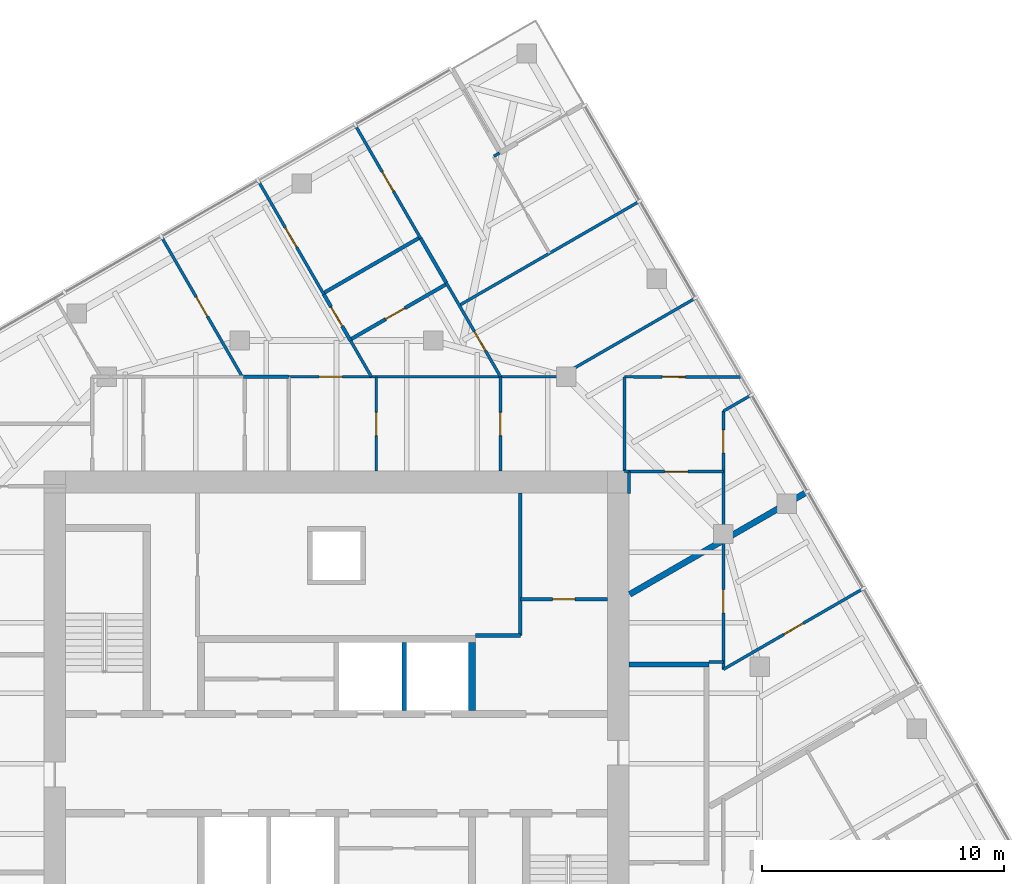
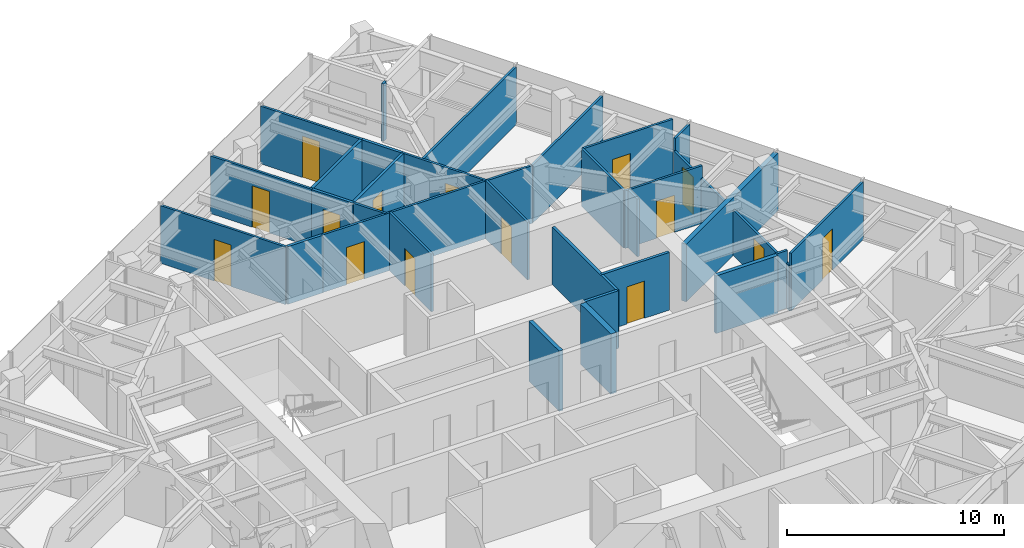
# One storey, part 11 of 13: 32 walls, 15 doors, 15 openings.
"""IFC4 building model written with IfcOpenShell, lengths in metres."""

import ifcopenshell
import ifcopenshell.guid

model = None  # the IFC model being written
_history = None  # IfcOwnerHistory: only IFC2X3 demands one
_inside = {}  # id of a spatial element -> (the spatial element, [elements in it])
_under = {}  # id of a project, library or spatial element -> (it, [spatial elements below it])
_declared = {}  # id of a project -> (the project, [libraries it declares])
_typed = {}  # id of a type object -> (the type object, [elements of that type])
_made_of = {}  # id of a material, layer set ... -> (it, [elements and type objects made of it])


def new_model(schema):
    """Start an empty IFC model of exactly this schema.

    Asked for "IFC4X3", IfcOpenShell would pick the latest addendum, in which some entities
    have other attributes; the version numbers below select the first issue.
    IFC2X3 requires an IfcOwnerHistory on every rooted entity: one is made here for all.
    """
    global model, _history
    if schema == "IFC4X3":
        model = ifcopenshell.file(schema_version=(4, 3, 0, 0))
    else:
        model = ifcopenshell.file(schema=schema)
    _inside.clear()
    _under.clear()
    _declared.clear()
    _typed.clear()
    _made_of.clear()
    _history = None
    if model.schema == "IFC2X3":
        org = make("IfcOrganization", Name="unknown")
        user = make(
            "IfcPersonAndOrganization",
            ThePerson=make("IfcPerson", FamilyName="unknown"),
            TheOrganization=org,
        )
        app = make(
            "IfcApplication",
            ApplicationDeveloper=org,
            Version="unknown",
            ApplicationFullName="unknown",
            ApplicationIdentifier="unknown",
        )
        _history = make(
            "IfcOwnerHistory",
            OwningUser=user,
            OwningApplication=app,
            ChangeAction="ADDED",
            CreationDate=0,
        )
    return model


def make(cls, **values):
    """One entity of the class cls with the attributes given. An attribute that is None is left unset."""
    return model.create_entity(
        cls, **{name: value for name, value in values.items() if value is not None}
    )


def rooted(cls, **values):
    """An entity with a GlobalId (a new one), such as an element, a storey or a relation."""
    return make(cls, GlobalId=ifcopenshell.guid.new(), OwnerHistory=_history, **values)


def si_unit(unit_type, name, prefix=None):
    """IfcSIUnit, for example si_unit("LENGTHUNIT", "METRE", prefix="MILLI")."""
    return make("IfcSIUnit", UnitType=unit_type, Prefix=prefix, Name=name)


def assignment(units):
    """IfcUnitAssignment: the units of a project."""
    return None if units is None else make("IfcUnitAssignment", Units=units)


def point(xyz):
    """IfcCartesianPoint."""
    return None if xyz is None else make("IfcCartesianPoint", Coordinates=xyz)


def direction(xyz):
    """IfcDirection."""
    return None if xyz is None else make("IfcDirection", DirectionRatios=xyz)


def frame(location, z_axis=None, x_axis=None):
    """IfcAxis2Placement3D, a coordinate frame: its origin and axes. An axis left out is left unset."""
    return make(
        "IfcAxis2Placement3D",
        Location=point(location),
        Axis=direction(z_axis),
        RefDirection=direction(x_axis),
    )


def frame_2d(location, x_axis=None):
    """IfcAxis2Placement2D, a coordinate frame in the plane: its origin and x axis."""
    return make(
        "IfcAxis2Placement2D", Location=point(location), RefDirection=direction(x_axis)
    )


def origin():
    """The frame at (0, 0, 0) with its axes left unset."""
    return frame((0.0, 0.0, 0.0))


def place(relative_to, where):
    """IfcLocalPlacement: puts the frame where relative to a parent placement (None: the world)."""
    return make(
        "IfcLocalPlacement", PlacementRelTo=relative_to, RelativePlacement=where
    )


def context(
    kind, dimensions, precision=None, world=None, true_north=None, identifier=None
):
    """IfcGeometricRepresentationContext, for example the 3D "Model" context."""
    return make(
        "IfcGeometricRepresentationContext",
        ContextIdentifier=identifier,
        ContextType=kind,
        CoordinateSpaceDimension=dimensions,
        Precision=precision,
        WorldCoordinateSystem=world,
        TrueNorth=true_north,
    )


def subcontext(parent, identifier, kind, view, scale=None):
    """IfcGeometricRepresentationSubContext, for example "Body" below "Model"."""
    return make(
        "IfcGeometricRepresentationSubContext",
        ContextIdentifier=identifier,
        ContextType=kind,
        ParentContext=parent,
        TargetScale=scale,
        TargetView=view,
    )


def project(units=None, contexts=None):
    """IfcProject with its units and contexts."""
    return rooted(
        "IfcProject",
        Name="project",
        RepresentationContexts=contexts,
        UnitsInContext=assignment(units),
    )


def spatial(cls, under=None, at=None, **own):
    """A site, building, storey or space (cls), placed at a placement, below another one or the project."""
    s = rooted(cls, ObjectPlacement=at, **own)
    if under is not None:
        _under.setdefault(under.id(), (under, []))[1].append(s)
    return s


def profile(cls, at=None, kind="AREA", **sizes):
    """A parametric profile (cls). Its sizes go by their IFC names, for example OverallWidth=200.0."""
    return make(cls, ProfileType=kind, Position=at, **sizes)


def rectangle(**sizes):
    """IfcRectangleProfileDef."""
    return profile("IfcRectangleProfileDef", **sizes)


def extrude(swept, where, along, depth):
    """IfcExtrudedAreaSolid: the profile swept, set in the frame where, extruded along a direction by depth."""
    return make(
        "IfcExtrudedAreaSolid",
        SweptArea=swept,
        Position=where,
        ExtrudedDirection=direction(along),
        Depth=depth,
    )


def shape(context_of_items, identifier, shape_type, items):
    """IfcShapeRepresentation: the items that make up one representation, for example the "Body"."""
    return make(
        "IfcShapeRepresentation",
        ContextOfItems=context_of_items,
        RepresentationIdentifier=identifier,
        RepresentationType=shape_type,
        Items=items,
    )


def material(Name=None, Category=None):
    """IfcMaterial."""
    return make("IfcMaterial", Name=Name, Category=Category)


def layer(
    of_material, thickness, ventilated=None, Name=None, Category=None, Priority=None
):
    """IfcMaterialLayer: one layer of a wall or slab, of a material (None: an air gap)."""
    return make(
        "IfcMaterialLayer",
        Material=of_material,
        LayerThickness=thickness,
        IsVentilated=ventilated,
        Name=Name,
        Category=Category,
        Priority=Priority,
    )


def layer_set(layers, Name=None):
    """IfcMaterialLayerSet."""
    return make("IfcMaterialLayerSet", MaterialLayers=layers, LayerSetName=Name)


def made_of(thing, what):
    """Note that an element or type object is made of a material, layer set ...; save() writes the relation."""
    if what is not None:
        _made_of.setdefault(what.id(), (what, []))[1].append(thing)
    return thing


def type_object(cls, material=None, **own):
    """A type object (cls), such as IfcWallType, which elements share."""
    return made_of(rooted(cls, **own), material)


def element(
    cls,
    number,
    at=None,
    inside=None,
    cuts=None,
    type_object=None,
    material=None,
    context=None,
    identifier="Body",
    shape_type=None,
    held_by="IfcProductDefinitionShape",
    body=None,
    shapes=None,
    **own,
):
    """One element of the class cls, such as IfcWall. Its Tag is "e" and its number.

    at: its placement. inside: the storey or other place that contains it. cuts: it is an
    opening in that element (IfcRelVoidsElement). A single representation is given by context,
    identifier, shape_type and body (its items); several are given by shapes. held_by: the class
    of the entity that holds the representations. save() writes the other relations.
    """
    e = rooted(cls, Tag="e%d" % number, ObjectPlacement=at, **own)
    if body is not None:
        shapes = [shape(context, identifier, shape_type, body)]
    if shapes is not None:
        e.Representation = make(held_by, Representations=shapes)
    if inside is not None:
        _inside.setdefault(inside.id(), (inside, []))[1].append(e)
    if cuts is not None:
        rooted(
            "IfcRelVoidsElement", RelatingBuildingElement=cuts, RelatedOpeningElement=e
        )
    if type_object is not None:
        _typed.setdefault(type_object.id(), (type_object, []))[1].append(e)
    return made_of(e, material)


def fill(opening, filler):
    """IfcRelFillsElement: the door or window that sits in an opening."""
    return rooted(
        "IfcRelFillsElement",
        RelatingOpeningElement=opening,
        RelatedBuildingElement=filler,
    )


def aggregate(whole, parts):
    """IfcRelAggregates: a whole, such as a stair, and the parts it consists of."""
    return rooted("IfcRelAggregates", RelatingObject=whole, RelatedObjects=parts)


def save(model, path):
    """Write the relations noted so far, then the file.

    IfcRelAggregates (storeys below a building ...), IfcRelContainedInSpatialStructure (elements
    in a storey), IfcRelDefinesByType, IfcRelAssociatesMaterial and IfcRelDeclares: one each for
    every whole, place, type object, material and project.
    """
    for whole, parts in _under.values():
        aggregate(whole, parts)
    for where, things in _inside.values():
        rooted(
            "IfcRelContainedInSpatialStructure",
            RelatedElements=things,
            RelatingStructure=where,
        )
    for kind, things in _typed.values():
        rooted("IfcRelDefinesByType", RelatedObjects=things, RelatingType=kind)
    for what, things in _made_of.values():
        rooted("IfcRelAssociatesMaterial", RelatedObjects=things, RelatingMaterial=what)
    for by, libraries in _declared.values():
        rooted("IfcRelDeclares", RelatingContext=by, RelatedDefinitions=libraries)
    model.write(path)


model = new_model("IFC4")

# Units and contexts
model_context = context("Model", 3, precision=1e-05, world=origin(), true_north=direction((0.0, 1.0)))
body_context = subcontext(model_context, "Body", "Model", "MODEL_VIEW")
ifc_project = project(units=[si_unit("LENGTHUNIT", "METRE"), si_unit("AREAUNIT", "SQUARE_METRE"), si_unit("VOLUMEUNIT", "CUBIC_METRE"), si_unit("PLANEANGLEUNIT", "RADIAN"), si_unit("MASSUNIT", "GRAM", prefix="KILO")], contexts=[model_context])

# Site, building, storey
site_placement = place(None, origin())
site = spatial("IfcSite", under=ifc_project, at=site_placement, CompositionType="ELEMENT")
building_placement = place(site_placement, origin())
building = spatial("IfcBuilding", under=site, at=building_placement, Name="Torsade Residences", CompositionType="ELEMENT")
storey_placement = place(building_placement, frame((0.0, 0.0, 225.199951171875)))
storey = spatial("IfcBuildingStorey", under=building, at=storey_placement, Name="L62", CompositionType="ELEMENT", Elevation=225.199951171875)

# Walls
ifc_material_1 = material(Name="Concrete 80 MPa", Category="concrete")
ifc_layer_1 = layer(ifc_material_1, 0.300048828125)
ifc_layer_set_1 = layer_set([ifc_layer_1], Name="Concrete 80 MPa")
wall_type_1 = type_object("IfcWallType", Name="CORE INTERNAL WALL 300", PredefinedType="SHEAR", material=ifc_layer_set_1)
wall_1_placement = place(storey_placement, frame((45.60009765625, 32.199951171875, 0.0), z_axis=(0.0, 0.0, 1.0), x_axis=(0.0, 1.0, 0.0)))
element("IfcWall", 1, at=wall_1_placement, inside=storey, type_object=wall_type_1, Name="Core wall DN4 L62", PredefinedType="SHEAR", context=body_context, shape_type="SweptSolid", body=[
    extrude(rectangle(XDim=2.800048828125, YDim=0.300048828125, at=frame_2d((1.39990234375, 0.0))), origin(), (0.0, 0.0, 1.0), 3.400146484375),
])
ifc_material_2 = material(Name="Plasterboard on steel stud", Category="steel")
ifc_layer_2 = layer(ifc_material_2, 0.199951171875)
ifc_layer_set_2 = layer_set([ifc_layer_2], Name="Plasterboard on steel stud")
wall_type_2 = type_object("IfcWallType", Name="CORRIDOR WALL 200", PredefinedType="PARTITIONING", material=ifc_layer_set_2)
wall_2_placement = place(storey_placement, frame((52.10009765625, 34.10009765625, 0.0), z_axis=(0.0, 0.0, 1.0), x_axis=(1.0, 0.0, 0.0)))
element("IfcWall", 2, at=wall_2_placement, inside=storey, type_object=wall_type_2, Name="Corridor wall L62", PredefinedType="PARTITIONING", context=body_context, shape_type="SweptSolid", body=[
    extrude(rectangle(XDim=3.2998046875, YDim=0.199951171875, at=frame_2d((1.64990234375, 0.0))), origin(), (0.0, 0.0, 1.0), 3.25),
])
ifc_material_3 = material(Name="Reinforced blockwork", Category="masonry")
ifc_layer_3 = layer(ifc_material_3, 0.199951171875)
ifc_layer_set_3 = layer_set([ifc_layer_3], Name="Reinforced blockwork")
wall_type_3 = type_object("IfcWallType", Name="LIFT SHAFT DIVIDING WALL 200", PredefinedType="SOLIDWALL", material=ifc_layer_set_3)
wall_3_placement = place(storey_placement, frame((42.800048828125, 32.199951171875, 0.0), z_axis=(0.0, 0.0, 1.0), x_axis=(0.0, 1.0, 0.0)))
element("IfcWall", 3, at=wall_3_placement, inside=storey, type_object=wall_type_3, Name="Core wall DN3 L62", PredefinedType="SOLIDWALL", context=body_context, shape_type="SweptSolid", body=[
    extrude(rectangle(XDim=2.800048828125, YDim=0.199951171875, at=frame_2d((1.39990234375, 0.0))), origin(), (0.0, 0.0, 1.0), 3.400146484375),
])
ifc_material_4 = material(Name="Plasterboard on steel stud", Category="steel")
ifc_layer_4 = layer(ifc_material_4, 0.1201171875)
ifc_layer_set_4 = layer_set([ifc_layer_4], Name="Plasterboard on steel stud")
wall_type_4 = type_object("IfcWallType", Name="PARTITION 120", PredefinedType="PARTITIONING", material=ifc_layer_set_4)
wall_4_placement = place(storey_placement, frame((56.0, 34.199951171875, 0.0), z_axis=(0.0, 0.0, 1.0), x_axis=(-1.0, 0.0, 0.0)))
element("IfcWall", 4, at=wall_4_placement, inside=storey, type_object=wall_type_4, Name="Partition L62", PredefinedType="PARTITIONING", context=body_context, shape_type="SweptSolid", body=[
    extrude(rectangle(XDim=0.60009765625, YDim=0.1201171875, at=frame_2d((0.300048828125, 0.0))), origin(), (0.0, 0.0, 1.0), 3.25),
])

# Wall, openings, doors
wall_5_placement = place(storey_placement, frame((56.0, 44.578125, 0.0), z_axis=(0.0, 0.0, 1.0), x_axis=(0.0, -1.0, 0.0)))
wall_5 = element("IfcWall", 5, at=wall_5_placement, inside=storey, type_object=wall_type_4, Name="Partition L62", PredefinedType="PARTITIONING", context=body_context, shape_type="SweptSolid", body=[
    extrude(rectangle(XDim=10.680908203125, YDim=0.1201171875, at=frame_2d((5.34033203125, 0.0))), origin(), (0.0, 0.0, 1.0), 2.550048828125),
])
opening_1_placement = place(wall_5_placement, frame((0.770263671875, 0.0, 0.0)))
opening_1 = element("IfcOpeningElement", 6, at=opening_1_placement, cuts=wall_5, Name="Opening D05", PredefinedType="OPENING", context=body_context, shape_type="SweptSolid", body=[
    extrude(rectangle(XDim=0.9599609375, YDim=2.10009765625, at=frame_2d((0.47998046875, 1.050048828125))), frame((0.0, 0.070068359375, 0.0), z_axis=(0.0, -1.0, 0.0), x_axis=(1.0, 0.0, 0.0)), (0.0, 0.0, 1.0), 0.14013671875),
])
opening_2_placement = place(wall_5_placement, frame((7.37939453125, 0.0, 0.0)))
opening_2 = element("IfcOpeningElement", 7, at=opening_2_placement, cuts=wall_5, Name="Opening D05", PredefinedType="OPENING", context=body_context, shape_type="SweptSolid", body=[
    extrude(rectangle(XDim=0.9599609375, YDim=2.10009765625, at=frame_2d((0.47998046875, 1.050048828125))), frame((0.0, 0.070068359375, 0.0), z_axis=(0.0, -1.0, 0.0), x_axis=(1.0, 0.0, 0.0)), (0.0, 0.0, 1.0), 0.14013671875),
])
ifc_material_5 = material(Name="Hollow-core timber door in a steel cavity frame", Category="steel")
door_type_1 = type_object("IfcDoorType", Name="BATHROOM CAVITY SLIDING DOOR 960", OperationType="SLIDING_TO_LEFT", PredefinedType="DOOR", material=ifc_material_5)
door_1_placement = place(opening_1_placement, origin())
door_1 = element("IfcDoor", 8, at=door_1_placement, inside=storey, type_object=door_type_1, Name="Door Bathroom to Dining room 2", OperationType="SLIDING_TO_LEFT", OverallHeight=2.10009765625, OverallWidth=0.9599609375, PredefinedType="DOOR", context=body_context, shape_type="SweptSolid", body=[
    extrude(rectangle(XDim=0.9599609375, YDim=2.10009765625, at=frame_2d((0.47998046875, 1.050048828125))), frame((0.0, 0.02490234375, 0.0), z_axis=(0.0, -1.0, 0.0), x_axis=(1.0, 0.0, 0.0)), (0.0, 0.0, 1.0), 0.050048828125),
])
fill(opening_1, door_1)
door_2_placement = place(opening_2_placement, origin())
door_2 = element("IfcDoor", 9, at=door_2_placement, inside=storey, type_object=door_type_1, Name="Door Bedroom 1 2 to Bathroom 2", OperationType="SLIDING_TO_LEFT", OverallHeight=2.10009765625, OverallWidth=0.9599609375, PredefinedType="DOOR", context=body_context, shape_type="SweptSolid", body=[
    extrude(rectangle(XDim=0.9599609375, YDim=2.10009765625, at=frame_2d((0.47998046875, 1.050048828125))), frame((0.0, 0.02490234375, 0.0), z_axis=(0.0, -1.0, 0.0), x_axis=(1.0, 0.0, 0.0)), (0.0, 0.0, 1.0), 0.050048828125),
])
fill(opening_2, door_2)

# Wall, opening, door
wall_6_placement = place(storey_placement, frame((56.0, 33.897216796875, 0.0), z_axis=(0.0, 0.0, 1.0), x_axis=(0.866033470286, 0.49998602815, 0.0)))
wall_6 = element("IfcWall", 10, at=wall_6_placement, inside=storey, type_object=wall_type_4, Name="Partition L62", PredefinedType="PARTITIONING", context=body_context, shape_type="SweptSolid", body=[
    extrude(rectangle(XDim=6.655029296875, YDim=0.1201171875, at=frame_2d((3.32763671875, 0.0))), origin(), (0.0, 0.0, 1.0), 3.25),
])
opening_3_placement = place(wall_6_placement, frame((2.887451171875, 0.0, 0.0)))
opening_3 = element("IfcOpeningElement", 11, at=opening_3_placement, cuts=wall_6, Name="Opening D02", PredefinedType="OPENING", context=body_context, shape_type="SweptSolid", body=[
    extrude(rectangle(XDim=0.919921875, YDim=2.340087890625, at=frame_2d((0.4599609375, 1.169921875))), frame((0.0, 0.070068359375, 0.0), z_axis=(0.0, -1.0, 0.0), x_axis=(1.0, 0.0, 0.0)), (0.0, 0.0, 1.0), 0.14013671875),
])
ifc_material_6 = material(Name="Hollow-core timber door", Category="wood")
door_type_2 = type_object("IfcDoorType", Name="INTERNAL DOOR 920x2340", OperationType="NOTDEFINED", PredefinedType="DOOR", material=ifc_material_6)
door_3_placement = place(opening_3_placement, origin())
door_3 = element("IfcDoor", 12, at=door_3_placement, inside=storey, type_object=door_type_2, Name="Door Living room 2 to Bedroom 1 2", OperationType="SINGLE_SWING_LEFT", OverallHeight=2.340087890625, OverallWidth=0.919921875, PredefinedType="DOOR", context=body_context, shape_type="SweptSolid", body=[
    extrude(rectangle(XDim=0.919921875, YDim=2.340087890625, at=frame_2d((0.4599609375, 1.169921875))), frame((0.0, 0.02490234375, 0.0), z_axis=(0.0, -1.0, 0.0), x_axis=(1.0, 0.0, 0.0)), (0.0, 0.0, 1.0), 0.050048828125),
])
fill(opening_3, door_3)

wall_7_placement = place(storey_placement, frame((56.0, 42.07763671875, 0.0), z_axis=(0.0, 0.0, 1.0), x_axis=(-1.0, 0.0, 0.0)))
wall_7 = element("IfcWall", 13, at=wall_7_placement, inside=storey, type_object=wall_type_4, Name="Partition L62", PredefinedType="PARTITIONING", context=body_context, shape_type="SweptSolid", body=[
    extrude(rectangle(XDim=3.89990234375, YDim=0.1201171875, at=frame_2d((1.949951171875, 0.0))), origin(), (0.0, 0.0, 1.0), 3.25),
])
opening_4_placement = place(wall_7_placement, frame((1.469970703125, 0.0, 0.0)))
opening_4 = element("IfcOpeningElement", 14, at=opening_4_placement, cuts=wall_7, Name="Opening D05", PredefinedType="OPENING", context=body_context, shape_type="SweptSolid", body=[
    extrude(rectangle(XDim=0.9599609375, YDim=2.10009765625, at=frame_2d((0.47998046875, 1.050048828125))), frame((0.0, 0.070068359375, 0.0), z_axis=(0.0, -1.0, 0.0), x_axis=(1.0, 0.0, 0.0)), (0.0, 0.0, 1.0), 0.14013671875),
])
door_4_placement = place(opening_4_placement, origin())
door_4 = element("IfcDoor", 15, at=door_4_placement, inside=storey, type_object=door_type_1, Name="Door Bathroom to Dressing room", OperationType="SLIDING_TO_LEFT", OverallHeight=2.10009765625, OverallWidth=0.9599609375, PredefinedType="DOOR", context=body_context, shape_type="SweptSolid", body=[
    extrude(rectangle(XDim=0.9599609375, YDim=2.10009765625, at=frame_2d((0.47998046875, 1.050048828125))), frame((0.0, 0.02490234375, 0.0), z_axis=(0.0, -1.0, 0.0), x_axis=(1.0, 0.0, 0.0)), (0.0, 0.0, 1.0), 0.050048828125),
])
fill(opening_4, door_4)

# Wall
wall_8_placement = place(storey_placement, frame((51.90576171875, 42.10009765625, 0.0), z_axis=(0.0, 0.0, 1.0), x_axis=(0.0, 1.0, 0.0)))
element("IfcWall", 16, at=wall_8_placement, inside=storey, type_object=wall_type_4, Name="Partition L62", PredefinedType="PARTITIONING", context=body_context, shape_type="SweptSolid", body=[
    extrude(rectangle(XDim=3.89990234375, YDim=0.1201171875, at=frame_2d((1.949951171875, 0.0))), origin(), (0.0, 0.0, 1.0), 3.25),
])

# Wall, opening, door
wall_9_placement = place(storey_placement, frame((51.90576171875, 46.0, 0.0), z_axis=(0.0, 0.0, 1.0), x_axis=(0.999997822794, -0.002086721841, 0.0)))
wall_9 = element("IfcWall", 17, at=wall_9_placement, inside=storey, type_object=wall_type_4, Name="Partition L62", PredefinedType="PARTITIONING", context=body_context, shape_type="SweptSolid", body=[
    extrude(rectangle(XDim=4.796875, YDim=0.1201171875, at=frame_2d((2.3984375, 0.0))), origin(), (0.0, 0.0, 1.0), 3.25),
])
opening_5_placement = place(wall_9_placement, frame((1.567138671875, 0.0, 0.0)))
opening_5 = element("IfcOpeningElement", 18, at=opening_5_placement, cuts=wall_9, Name="Opening D05", PredefinedType="OPENING", context=body_context, shape_type="SweptSolid", body=[
    extrude(rectangle(XDim=0.9599609375, YDim=2.10009765625, at=frame_2d((0.47998046875, 1.050048828125))), frame((0.0, 0.070068359375, 0.0), z_axis=(0.0, -1.0, 0.0), x_axis=(1.0, 0.0, 0.0)), (0.0, 0.0, 1.0), 0.14013671875),
])
door_5_placement = place(opening_5_placement, origin())
door_5 = element("IfcDoor", 19, at=door_5_placement, inside=storey, type_object=door_type_1, Name="Door Media room 2 to Bathroom", OperationType="SLIDING_TO_LEFT", OverallHeight=2.10009765625, OverallWidth=0.9599609375, PredefinedType="DOOR", context=body_context, shape_type="SweptSolid", body=[
    extrude(rectangle(XDim=0.9599609375, YDim=2.10009765625, at=frame_2d((0.47998046875, 1.050048828125))), frame((0.0, 0.02490234375, 0.0), z_axis=(0.0, -1.0, 0.0), x_axis=(1.0, 0.0, 0.0)), (0.0, 0.0, 1.0), 0.050048828125),
])
fill(opening_5, door_5)

# Walls
wall_10_placement = place(storey_placement, frame((57.138427734375, 45.2353515625, 0.0), z_axis=(0.0, 0.0, 1.0), x_axis=(-0.866040225545, -0.499974327079, 0.0)))
element("IfcWall", 20, at=wall_10_placement, inside=storey, type_object=wall_type_4, Name="Partition L62", PredefinedType="PARTITIONING", context=body_context, shape_type="SweptSolid", body=[
    extrude(rectangle(XDim=1.314453125, YDim=0.1201171875, at=frame_2d((0.6572265625, 0.0))), origin(), (0.0, 0.0, 1.0), 3.25),
])
wall_11_placement = place(storey_placement, frame((52.10009765625, 41.179931640625, 0.0), z_axis=(0.0, 0.0, 1.0), x_axis=(0.0, 1.0, 0.0)))
element("IfcWall", 21, at=wall_11_placement, inside=storey, type_object=wall_type_4, Name="Partition L62", PredefinedType="PARTITIONING", context=body_context, shape_type="SweptSolid", body=[
    extrude(rectangle(XDim=0.897705078125, YDim=0.1201171875, at=frame_2d((0.44873046875, 0.0))), origin(), (0.0, 0.0, 1.0), 3.25),
])

# Wall, opening, door
wall_12_placement = place(storey_placement, frame((41.6435546875, 42.10009765625, 0.0), z_axis=(0.0, 0.0, 1.0), x_axis=(0.0, 1.0, 0.0)))
wall_12 = element("IfcWall", 22, at=wall_12_placement, inside=storey, type_object=wall_type_4, Name="Partition L62", PredefinedType="PARTITIONING", context=body_context, shape_type="SweptSolid", body=[
    extrude(rectangle(XDim=3.89990234375, YDim=0.1201171875, at=frame_2d((1.949951171875, 0.0))), origin(), (0.0, 0.0, 1.0), 3.25),
])
opening_6_placement = place(wall_12_placement, frame((1.469970703125, 0.0, 0.0)))
opening_6 = element("IfcOpeningElement", 23, at=opening_6_placement, cuts=wall_12, Name="Opening D05", PredefinedType="OPENING", context=body_context, shape_type="SweptSolid", body=[
    extrude(rectangle(XDim=0.9599609375, YDim=2.10009765625, at=frame_2d((0.47998046875, 1.050048828125))), frame((0.0, 0.070068359375, 0.0), z_axis=(0.0, -1.0, 0.0), x_axis=(1.0, 0.0, 0.0)), (0.0, 0.0, 1.0), 0.14013671875),
])
door_6_placement = place(opening_6_placement, origin())
door_6 = element("IfcDoor", 24, at=door_6_placement, inside=storey, type_object=door_type_1, Name="Door Laundry to Ensuite", OperationType="SLIDING_TO_LEFT", OverallHeight=2.10009765625, OverallWidth=0.9599609375, PredefinedType="DOOR", context=body_context, shape_type="SweptSolid", body=[
    extrude(rectangle(XDim=0.9599609375, YDim=2.10009765625, at=frame_2d((0.47998046875, 1.050048828125))), frame((0.0, 0.02490234375, 0.0), z_axis=(0.0, -1.0, 0.0), x_axis=(1.0, 0.0, 0.0)), (0.0, 0.0, 1.0), 0.050048828125),
])
fill(opening_6, door_6)

wall_13_placement = place(storey_placement, frame((38.017333984375, 46.0, 0.0), z_axis=(0.0, 0.0, 1.0), x_axis=(1.0, 0.0, 0.0)))
wall_13 = element("IfcWall", 25, at=wall_13_placement, inside=storey, type_object=wall_type_4, Name="Partition L62", PredefinedType="PARTITIONING", context=body_context, shape_type="SweptSolid", body=[
    extrude(rectangle(XDim=11.195556640625, YDim=0.1201171875, at=frame_2d((5.59765625, 0.0))), origin(), (0.0, 0.0, 1.0), 3.25),
])
opening_7_placement = place(wall_13_placement, frame((1.261962890625, 0.0, 0.0)))
opening_7 = element("IfcOpeningElement", 26, at=opening_7_placement, cuts=wall_13, Name="Opening D05", PredefinedType="OPENING", context=body_context, shape_type="SweptSolid", body=[
    extrude(rectangle(XDim=0.9599609375, YDim=2.10009765625, at=frame_2d((0.47998046875, 1.050048828125))), frame((0.0, 0.070068359375, 0.0), z_axis=(0.0, -1.0, 0.0), x_axis=(1.0, 0.0, 0.0)), (0.0, 0.0, 1.0), 0.14013671875),
])
door_7_placement = place(opening_7_placement, origin())
door_7 = element("IfcDoor", 27, at=door_7_placement, inside=storey, type_object=door_type_1, Name="Door Study to Laundry", OperationType="SLIDING_TO_LEFT", OverallHeight=2.10009765625, OverallWidth=0.9599609375, PredefinedType="DOOR", context=body_context, shape_type="SweptSolid", body=[
    extrude(rectangle(XDim=0.9599609375, YDim=2.10009765625, at=frame_2d((0.47998046875, 1.050048828125))), frame((0.0, 0.02490234375, 0.0), z_axis=(0.0, -1.0, 0.0), x_axis=(1.0, 0.0, 0.0)), (0.0, 0.0, 1.0), 0.050048828125),
])
fill(opening_7, door_7)

wall_14_placement = place(storey_placement, frame((46.774658203125, 46.0, 0.0), z_axis=(0.0, 0.0, 1.0), x_axis=(0.0, -1.0, 0.0)))
wall_14 = element("IfcWall", 28, at=wall_14_placement, inside=storey, type_object=wall_type_4, Name="Partition L62", PredefinedType="PARTITIONING", context=body_context, shape_type="SweptSolid", body=[
    extrude(rectangle(XDim=3.89990234375, YDim=0.1201171875, at=frame_2d((1.949951171875, 0.0))), origin(), (0.0, 0.0, 1.0), 3.25),
])
opening_8_placement = place(wall_14_placement, frame((1.469970703125, 0.0, 0.0)))
opening_8 = element("IfcOpeningElement", 29, at=opening_8_placement, cuts=wall_14, Name="Opening D05", PredefinedType="OPENING", context=body_context, shape_type="SweptSolid", body=[
    extrude(rectangle(XDim=0.9599609375, YDim=2.10009765625, at=frame_2d((0.47998046875, 1.050048828125))), frame((0.0, 0.070068359375, 0.0), z_axis=(0.0, -1.0, 0.0), x_axis=(1.0, 0.0, 0.0)), (0.0, 0.0, 1.0), 0.14013671875),
])
door_8_placement = place(opening_8_placement, origin())
door_8 = element("IfcDoor", 30, at=door_8_placement, inside=storey, type_object=door_type_1, Name="Door Ensuite to Media room 2", OperationType="SLIDING_TO_LEFT", OverallHeight=2.10009765625, OverallWidth=0.9599609375, PredefinedType="DOOR", context=body_context, shape_type="SweptSolid", body=[
    extrude(rectangle(XDim=0.9599609375, YDim=2.10009765625, at=frame_2d((0.47998046875, 1.050048828125))), frame((0.0, 0.02490234375, 0.0), z_axis=(0.0, -1.0, 0.0), x_axis=(1.0, 0.0, 0.0)), (0.0, 0.0, 1.0), 0.050048828125),
])
fill(opening_8, door_8)

# Wall
wall_15_placement = place(storey_placement, frame((45.07861328125, 48.95361328125, 0.0), z_axis=(0.0, 0.0, 1.0), x_axis=(0.866025991751, 0.49999898161, 0.0)))
element("IfcWall", 31, at=wall_15_placement, inside=storey, type_object=wall_type_4, Name="Partition L62", PredefinedType="PARTITIONING", context=body_context, shape_type="SweptSolid", body=[
    extrude(rectangle(XDim=8.5849609375, YDim=0.1201171875, at=frame_2d((4.29248046875, 0.0))), origin(), (0.0, 0.0, 1.0), 3.25),
])

# Wall, opening, door
wall_16_placement = place(storey_placement, frame((46.783935546875, 46.0, 0.0), z_axis=(0.0, 0.0, 1.0), x_axis=(-0.500017500808, 0.866015299452, 0.0)))
wall_16 = element("IfcWall", 32, at=wall_16_placement, inside=storey, type_object=wall_type_4, Name="Partition L62", PredefinedType="PARTITIONING", context=body_context, shape_type="SweptSolid", body=[
    extrude(rectangle(XDim=4.488525390625, YDim=0.1201171875, at=frame_2d((2.244140625, 0.0))), origin(), (0.0, 0.0, 1.0), 3.25),
])
opening_9_placement = place(wall_16_placement, frame((1.245361328125, 0.0, 0.0)))
opening_9 = element("IfcOpeningElement", 33, at=opening_9_placement, cuts=wall_16, Name="Opening D02", PredefinedType="OPENING", context=body_context, shape_type="SweptSolid", body=[
    extrude(rectangle(XDim=0.919921875, YDim=2.340087890625, at=frame_2d((0.4599609375, 1.169921875))), frame((0.0, 0.070068359375, 0.0), z_axis=(0.0, -1.0, 0.0), x_axis=(1.0, 0.0, 0.0)), (0.0, 0.0, 1.0), 0.14013671875),
])
door_9_placement = place(opening_9_placement, origin())
door_9 = element("IfcDoor", 34, at=door_9_placement, inside=storey, type_object=door_type_2, Name="Door Walk-in robe to Bedroom 1", OperationType="SINGLE_SWING_LEFT", OverallHeight=2.340087890625, OverallWidth=0.919921875, PredefinedType="DOOR", context=body_context, shape_type="SweptSolid", body=[
    extrude(rectangle(XDim=0.919921875, YDim=2.340087890625, at=frame_2d((0.4599609375, 1.169921875))), frame((0.0, 0.02490234375, 0.0), z_axis=(0.0, -1.0, 0.0), x_axis=(1.0, 0.0, 0.0)), (0.0, 0.0, 1.0), 0.050048828125),
])
fill(opening_9, door_9)

# Wall
wall_17_placement = place(storey_placement, frame((54.825927734375, 49.24072265625, 0.0), z_axis=(0.0, 0.0, 1.0), x_axis=(-0.866023120914, -0.500003954026, 0.0)))
element("IfcWall", 35, at=wall_17_placement, inside=storey, type_object=wall_type_4, Name="Partition L62", PredefinedType="PARTITIONING", context=body_context, shape_type="SweptSolid", body=[
    extrude(rectangle(XDim=6.4814453125, YDim=0.1201171875, at=frame_2d((3.24072265625, 0.0))), origin(), (0.0, 0.0, 1.0), 3.25),
])

# Wall, opening, door
wall_18_placement = place(storey_placement, frame((43.47998046875, 51.722412109375, 0.0), z_axis=(0.0, 0.0, 1.0), x_axis=(-0.499989180974, 0.866031650062, 0.0)))
wall_18 = element("IfcWall", 36, at=wall_18_placement, inside=storey, type_object=wall_type_4, Name="Partition L62", PredefinedType="PARTITIONING", context=body_context, shape_type="SweptSolid", body=[
    extrude(rectangle(XDim=5.3876953125, YDim=0.1201171875, at=frame_2d((2.69384765625, 0.0))), origin(), (0.0, 0.0, 1.0), 3.25),
])
opening_10_placement = place(wall_18_placement, frame((2.25390625, 0.0, 0.0)))
opening_10 = element("IfcOpeningElement", 37, at=opening_10_placement, cuts=wall_18, Name="Opening D02", PredefinedType="OPENING", context=body_context, shape_type="SweptSolid", body=[
    extrude(rectangle(XDim=0.919921875, YDim=2.340087890625, at=frame_2d((0.4599609375, 1.169921875))), frame((0.0, 0.070068359375, 0.0), z_axis=(0.0, -1.0, 0.0), x_axis=(1.0, 0.0, 0.0)), (0.0, 0.0, 1.0), 0.14013671875),
])
door_10_placement = place(opening_10_placement, origin())
door_10 = element("IfcDoor", 38, at=door_10_placement, inside=storey, type_object=door_type_2, Name="Door Family room to Bedroom 2", OperationType="SINGLE_SWING_LEFT", OverallHeight=2.340087890625, OverallWidth=0.919921875, PredefinedType="DOOR", context=body_context, shape_type="SweptSolid", body=[
    extrude(rectangle(XDim=0.919921875, YDim=2.340087890625, at=frame_2d((0.4599609375, 1.169921875))), frame((0.0, 0.02490234375, 0.0), z_axis=(0.0, -1.0, 0.0), x_axis=(1.0, 0.0, 0.0)), (0.0, 0.0, 1.0), 0.050048828125),
])
fill(opening_10, door_10)

# Wall
wall_19_placement = place(storey_placement, frame((46.73681640625, 55.25146484375, 0.0), z_axis=(0.0, 0.0, 1.0), x_axis=(-0.865829262097, -0.500339573586, 0.0)))
element("IfcWall", 39, at=wall_19_placement, inside=storey, type_object=wall_type_4, Name="Partition L62", PredefinedType="PARTITIONING", context=body_context, shape_type="SweptSolid", body=[
    extrude(rectangle(XDim=0.262451171875, YDim=0.1201171875, at=frame_2d((0.13134765625, 0.0))), origin(), (0.0, 0.0, 1.0), 3.25),
])

# Wall, opening, door
wall_20_placement = place(storey_placement, frame((36.78076171875, 54.075927734375, 0.0), z_axis=(0.0, 0.0, 1.0), x_axis=(0.499989180974, -0.866031650062, 0.0)))
wall_20 = element("IfcWall", 40, at=wall_20_placement, inside=storey, type_object=wall_type_4, Name="Partition L62", PredefinedType="PARTITIONING", context=body_context, shape_type="SweptSolid", body=[
    extrude(rectangle(XDim=5.3876953125, YDim=0.1201171875, at=frame_2d((2.69384765625, 0.0))), origin(), (0.0, 0.0, 1.0), 3.25),
])
opening_11_placement = place(wall_20_placement, frame((2.214111328125, 0.0, 0.0)))
opening_11 = element("IfcOpeningElement", 41, at=opening_11_placement, cuts=wall_20, Name="Opening D02", PredefinedType="OPENING", context=body_context, shape_type="SweptSolid", body=[
    extrude(rectangle(XDim=0.919921875, YDim=2.340087890625, at=frame_2d((0.4599609375, 1.169921875))), frame((0.0, 0.070068359375, 0.0), z_axis=(0.0, -1.0, 0.0), x_axis=(1.0, 0.0, 0.0)), (0.0, 0.0, 1.0), 0.14013671875),
])
door_11_placement = place(opening_11_placement, origin())
door_11 = element("IfcDoor", 42, at=door_11_placement, inside=storey, type_object=door_type_2, Name="Door Study to Family room", OperationType="SINGLE_SWING_RIGHT", OverallHeight=2.340087890625, OverallWidth=0.919921875, PredefinedType="DOOR", context=body_context, shape_type="SweptSolid", body=[
    extrude(rectangle(XDim=0.919921875, YDim=2.340087890625, at=frame_2d((0.4599609375, 1.169921875))), frame((0.0, 0.02490234375, 0.0), z_axis=(0.0, -1.0, 0.0), x_axis=(1.0, 0.0, 0.0)), (0.0, 0.0, 1.0), 0.050048828125),
])
fill(opening_11, door_11)

wall_21_placement = place(storey_placement, frame((36.10302734375, 46.0, 0.0), z_axis=(0.0, 0.0, 1.0), x_axis=(-0.500013541994, 0.866017585169, 0.0)))
wall_21 = element("IfcWall", 43, at=wall_21_placement, inside=storey, type_object=wall_type_4, Name="Partition L62", PredefinedType="PARTITIONING", context=body_context, shape_type="SweptSolid", body=[
    extrude(rectangle(XDim=6.655029296875, YDim=0.1201171875, at=frame_2d((3.32763671875, 0.0))), origin(), (0.0, 0.0, 1.0), 3.25),
])
opening_12_placement = place(wall_21_placement, frame((2.887451171875, 0.0, 0.0)))
opening_12 = element("IfcOpeningElement", 44, at=opening_12_placement, cuts=wall_21, Name="Opening D02", PredefinedType="OPENING", context=body_context, shape_type="SweptSolid", body=[
    extrude(rectangle(XDim=0.919921875, YDim=2.340087890625, at=frame_2d((0.4599609375, 1.169921875))), frame((0.0, 0.070068359375, 0.0), z_axis=(0.0, -1.0, 0.0), x_axis=(1.0, 0.0, 0.0)), (0.0, 0.0, 1.0), 0.14013671875),
])
door_12_placement = place(opening_12_placement, origin())
door_12 = element("IfcDoor", 45, at=door_12_placement, inside=storey, type_object=door_type_2, Name="Door Media room to Study", OperationType="SINGLE_SWING_LEFT", OverallHeight=2.340087890625, OverallWidth=0.919921875, PredefinedType="DOOR", context=body_context, shape_type="SweptSolid", body=[
    extrude(rectangle(XDim=0.919921875, YDim=2.340087890625, at=frame_2d((0.4599609375, 1.169921875))), frame((0.0, 0.02490234375, 0.0), z_axis=(0.0, -1.0, 0.0), x_axis=(1.0, 0.0, 0.0)), (0.0, 0.0, 1.0), 0.050048828125),
])
fill(opening_12, door_12)

# Walls
wall_22_placement = place(storey_placement, frame((40.584228515625, 47.488037109375, 0.0), z_axis=(0.0, 0.0, 1.0), x_axis=(0.500005339912, -0.866022320763, 0.0)))
element("IfcWall", 46, at=wall_22_placement, inside=storey, type_object=wall_type_4, Name="Partition L62", PredefinedType="PARTITIONING", context=body_context, shape_type="SweptSolid", body=[
    extrude(rectangle(XDim=1.71826171875, YDim=0.1201171875, at=frame_2d((0.859130859375, 0.0))), origin(), (0.0, 0.0, 1.0), 3.25),
])
wall_23_placement = place(storey_placement, frame((51.90576171875, 42.10009765625, 0.0), z_axis=(0.0, 0.0, 1.0), x_axis=(0.993387055489, -0.114813579278, 0.0)))
element("IfcWall", 47, at=wall_23_placement, inside=storey, type_object=wall_type_4, Name="Partition L62", PredefinedType="PARTITIONING", context=body_context, shape_type="SweptSolid", body=[
    extrude(rectangle(XDim=0.195556640625, YDim=0.1201171875, at=frame_2d((0.09765625, 0.0))), origin(), (0.0, 0.0, 1.0), 3.25),
])
ifc_material_7 = material(Name="Masonry-lined stud party wall", Category="masonry")
ifc_layer_5 = layer(ifc_material_7, 0.25)
ifc_layer_set_5 = layer_set([ifc_layer_5], Name="Masonry-lined stud party wall")
wall_type_5 = type_object("IfcWallType", Name="PARTY WALL 250", PredefinedType="PARTITIONING", material=ifc_layer_set_5)
wall_24_placement = place(storey_placement, frame((59.485595703125, 41.25, 0.0), z_axis=(0.0, 0.0, 1.0), x_axis=(-0.866020489494, -0.500008511703, 0.0)))
element("IfcWall", 48, at=wall_24_placement, inside=storey, type_object=wall_type_5, Name="Party wall L62", PredefinedType="PARTITIONING", context=body_context, shape_type="SweptSolid", body=[
    extrude(rectangle(XDim=8.495849609375, YDim=0.25, at=frame_2d((4.248046875, 0.0))), origin(), (0.0, 0.0, 1.0), 3.25),
])
ifc_material_8 = material(Name="Reinforced blockwork", Category="masonry")
ifc_layer_6 = layer(ifc_material_8, 0.14990234375)
ifc_layer_set_6 = layer_set([ifc_layer_6], Name="Reinforced blockwork")
wall_type_6 = type_object("IfcWallType", Name="SERVICE ROOM WALL 150", PredefinedType="SOLIDWALL", material=ifc_layer_set_6)
wall_25_placement = place(storey_placement, frame((47.60009765625, 41.199951171875, 0.0), z_axis=(0.0, 0.0, 1.0), x_axis=(0.0, -1.0, 0.0)))
element("IfcWall", 49, at=wall_25_placement, inside=storey, type_object=wall_type_6, Name="Service room wall L62", PredefinedType="SOLIDWALL", context=body_context, shape_type="SweptSolid", body=[
    extrude(rectangle(XDim=5.89990234375, YDim=0.14990234375, at=frame_2d((2.949951171875, 0.0))), origin(), (0.0, 0.0, 1.0), 3.25),
])
wall_26_placement = place(storey_placement, frame((47.60009765625, 35.300048828125, 0.0), z_axis=(0.0, 0.0, 1.0), x_axis=(-1.0, 0.0, 0.0)))
element("IfcWall", 50, at=wall_26_placement, inside=storey, type_object=wall_type_6, Name="Service room wall L62", PredefinedType="SOLIDWALL", context=body_context, shape_type="SweptSolid", body=[
    extrude(rectangle(XDim=1.85009765625, YDim=0.14990234375, at=frame_2d((0.925048828125, 0.0))), origin(), (0.0, 0.0, 1.0), 3.25),
])

# Wall, opening, door
wall_27_placement = place(storey_placement, frame((47.60009765625, 36.800048828125, 0.0), z_axis=(0.0, 0.0, 1.0), x_axis=(1.0, 0.0, 0.0)))
wall_27 = element("IfcWall", 51, at=wall_27_placement, inside=storey, type_object=wall_type_6, Name="Service room wall L62", PredefinedType="SOLIDWALL", context=body_context, shape_type="SweptSolid", body=[
    extrude(rectangle(XDim=3.599853515625, YDim=0.14990234375, at=frame_2d((1.7998046875, 0.0))), origin(), (0.0, 0.0, 1.0), 3.25),
])
opening_13_placement = place(wall_27_placement, frame((1.340087890625, 0.0, 0.0)))
opening_13 = element("IfcOpeningElement", 52, at=opening_13_placement, cuts=wall_27, Name="Opening D06", PredefinedType="OPENING", context=body_context, shape_type="SweptSolid", body=[
    extrude(rectangle(XDim=0.919921875, YDim=2.10009765625, at=frame_2d((0.4599609375, 1.050048828125))), frame((0.0, 0.0849609375, 0.0), z_axis=(0.0, -1.0, 0.0), x_axis=(1.0, 0.0, 0.0)), (0.0, 0.0, 1.0), 0.169921875),
])
ifc_material_9 = material(Name="Steel-framed fire door", Category="steel")
door_type_3 = type_object("IfcDoorType", Name="FIRE DOOR 920", OperationType="NOTDEFINED", PredefinedType="DOOR", material=ifc_material_9)
door_13_placement = place(opening_13_placement, origin())
door_13 = element("IfcDoor", 53, at=door_13_placement, inside=storey, type_object=door_type_3, Name="Door Refuse room to Linen store", OperationType="SINGLE_SWING_LEFT", OverallHeight=2.10009765625, OverallWidth=0.919921875, PredefinedType="DOOR", context=body_context, shape_type="SweptSolid", body=[
    extrude(rectangle(XDim=0.919921875, YDim=2.10009765625, at=frame_2d((0.4599609375, 1.050048828125))), frame((0.0, 0.02490234375, 0.0), z_axis=(0.0, -1.0, 0.0), x_axis=(1.0, 0.0, 0.0)), (0.0, 0.0, 1.0), 0.050048828125),
])
fill(opening_13, door_13)

# Walls
wall_28_placement = place(storey_placement, frame((44.53955078125, 49.88720703125, 0.0), z_axis=(0.0, 0.0, 1.0), x_axis=(-0.500005013853, 0.866022509016, 0.0)))
element("IfcWall", 54, at=wall_28_placement, inside=storey, type_object=wall_type_6, Name="Service room wall L62", PredefinedType="SOLIDWALL", context=body_context, shape_type="SweptSolid", body=[
    extrude(rectangle(XDim=2.119140625, YDim=0.14990234375, at=frame_2d((1.0595703125, 0.0))), origin(), (0.0, 0.0, 1.0), 3.25),
])
wall_29_placement = place(storey_placement, frame((38.017333984375, 46.0, 0.0), z_axis=(0.0, 0.0, 1.0), x_axis=(-1.0, 0.0, 0.0)))
element("IfcWall", 55, at=wall_29_placement, inside=storey, type_object=wall_type_6, Name="Service room wall L62", PredefinedType="SOLIDWALL", context=body_context, shape_type="SweptSolid", body=[
    extrude(rectangle(XDim=1.856689453125, YDim=0.14990234375, at=frame_2d((0.92822265625, 0.0))), origin(), (0.0, 0.0, 1.0), 3.25),
])

# Wall, opening, door
wall_30_placement = place(storey_placement, frame((39.474609375, 49.409912109375, 0.0), z_axis=(0.0, 0.0, 1.0), x_axis=(0.500008142102, -0.866020702889, 0.0)))
wall_30 = element("IfcWall", 56, at=wall_30_placement, inside=storey, type_object=wall_type_6, Name="Service room wall L62", PredefinedType="SOLIDWALL", context=body_context, shape_type="SweptSolid", body=[
    extrude(rectangle(XDim=2.21923828125, YDim=0.14990234375, at=frame_2d((1.109619140625, 0.0))), origin(), (0.0, 0.0, 1.0), 3.25),
])
opening_14_placement = place(wall_30_placement, frame((0.599609375, 0.0, 0.0)))
opening_14 = element("IfcOpeningElement", 57, at=opening_14_placement, cuts=wall_30, Name="Opening D02", PredefinedType="OPENING", context=body_context, shape_type="SweptSolid", body=[
    extrude(rectangle(XDim=0.919921875, YDim=2.340087890625, at=frame_2d((0.4599609375, 1.169921875))), frame((0.0, 0.0849609375, 0.0), z_axis=(0.0, -1.0, 0.0), x_axis=(1.0, 0.0, 0.0)), (0.0, 0.0, 1.0), 0.169921875),
])
door_14_placement = place(opening_14_placement, origin())
door_14 = element("IfcDoor", 58, at=door_14_placement, inside=storey, type_object=door_type_2, Name="Door Study to Linen store 2", OperationType="SINGLE_SWING_LEFT", OverallHeight=2.340087890625, OverallWidth=0.919921875, PredefinedType="DOOR", context=body_context, shape_type="SweptSolid", body=[
    extrude(rectangle(XDim=0.919921875, YDim=2.340087890625, at=frame_2d((0.4599609375, 1.169921875))), frame((0.0, 0.02490234375, 0.0), z_axis=(0.0, -1.0, 0.0), x_axis=(1.0, 0.0, 0.0)), (0.0, 0.0, 1.0), 0.050048828125),
])
fill(opening_14, door_14)

# Wall
wall_31_placement = place(storey_placement, frame((43.455078125, 51.765625, 0.0), z_axis=(0.0, 0.0, 1.0), x_axis=(-0.866025598446, -0.499999662836, 0.0)))
element("IfcWall", 59, at=wall_31_placement, inside=storey, type_object=wall_type_6, Name="Service room wall L62", PredefinedType="SOLIDWALL", context=body_context, shape_type="SweptSolid", body=[
    extrude(rectangle(XDim=4.625, YDim=0.14990234375, at=frame_2d((2.3125, 0.0))), origin(), (0.0, 0.0, 1.0), 3.25),
])

# Wall, opening, door
wall_32_placement = place(storey_placement, frame((40.559326171875, 47.53125, 0.0), z_axis=(0.0, 0.0, 1.0), x_axis=(0.866025598446, 0.499999662836, 0.0)))
wall_32 = element("IfcWall", 60, at=wall_32_placement, inside=storey, type_object=wall_type_6, Name="Service room wall L62", PredefinedType="SOLIDWALL", context=body_context, shape_type="SweptSolid", body=[
    extrude(rectangle(XDim=4.625, YDim=0.14990234375, at=frame_2d((2.3125, 0.0))), origin(), (0.0, 0.0, 1.0), 3.25),
])
opening_15_placement = place(wall_32_placement, frame((1.702392578125, 0.0, 0.0)))
opening_15 = element("IfcOpeningElement", 61, at=opening_15_placement, cuts=wall_32, Name="Opening D02", PredefinedType="OPENING", context=body_context, shape_type="SweptSolid", body=[
    extrude(rectangle(XDim=0.919921875, YDim=2.340087890625, at=frame_2d((0.4599609375, 1.169921875))), frame((0.0, 0.0849609375, 0.0), z_axis=(0.0, -1.0, 0.0), x_axis=(1.0, 0.0, 0.0)), (0.0, 0.0, 1.0), 0.169921875),
])
door_15_placement = place(opening_15_placement, origin())
door_15 = element("IfcDoor", 62, at=door_15_placement, inside=storey, type_object=door_type_2, Name="Door Linen store 2 to Walk-in robe", OperationType="SINGLE_SWING_LEFT", OverallHeight=2.340087890625, OverallWidth=0.919921875, PredefinedType="DOOR", context=body_context, shape_type="SweptSolid", body=[
    extrude(rectangle(XDim=0.919921875, YDim=2.340087890625, at=frame_2d((0.4599609375, 1.169921875))), frame((0.0, 0.02490234375, 0.0), z_axis=(0.0, -1.0, 0.0), x_axis=(1.0, 0.0, 0.0)), (0.0, 0.0, 1.0), 0.050048828125),
])
fill(opening_15, door_15)

save(model, "model.ifc")
